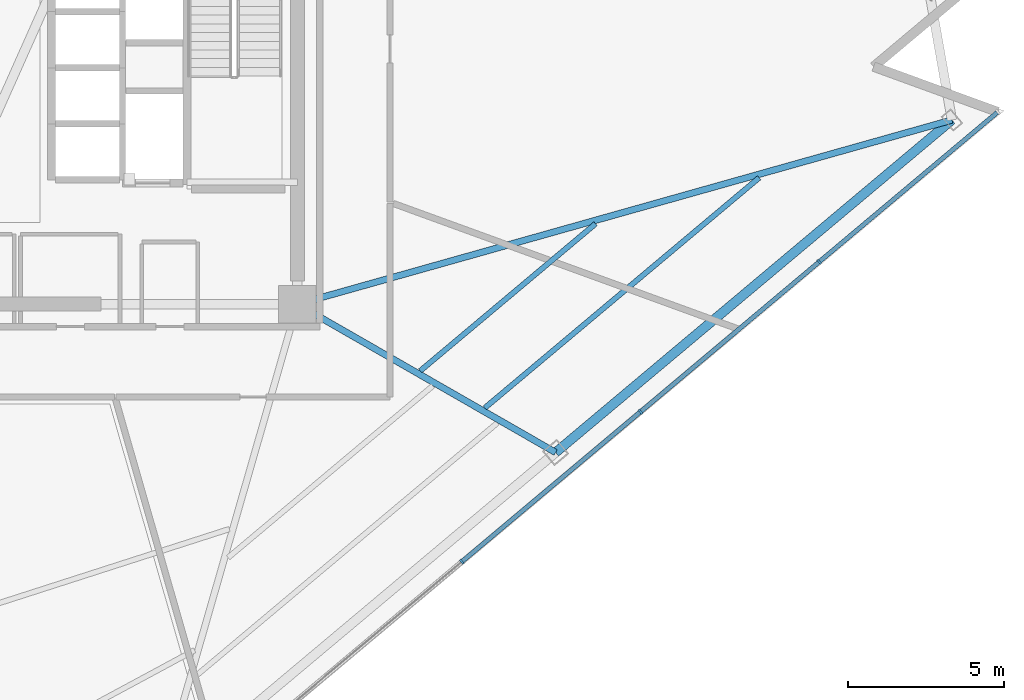
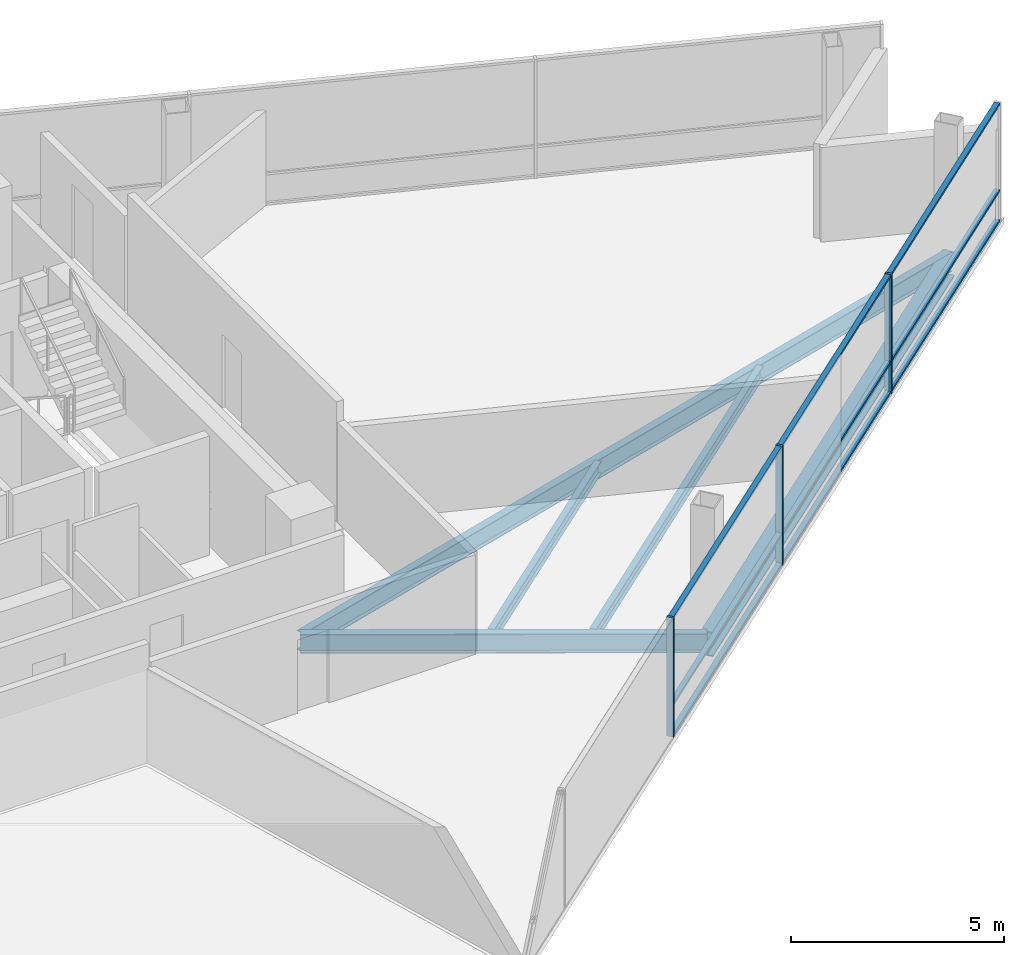
# One storey, part 4 of 16: 12 members, 5 beams, 1 element without a shape of its own.
"""IFC4 building model written with IfcOpenShell, lengths in metres."""

from ifc_helpers import new_model, si_unit, direction, frame, origin, origin_2d, place, context, subcontext, project, spatial, rectangle, i_section, extrude, material, layer, layer_set, material_profile, profile_set, type_object, element, aggregate, save


model = new_model("IFC4")

# Units and contexts
model_context = context("Model", 3, precision=1e-05, world=origin(), true_north=direction((0.0, 1.0)))
body_context = subcontext(model_context, "Body", "Model", "MODEL_VIEW")
ifc_project = project(units=[si_unit("LENGTHUNIT", "METRE"), si_unit("AREAUNIT", "SQUARE_METRE"), si_unit("VOLUMEUNIT", "CUBIC_METRE"), si_unit("PLANEANGLEUNIT", "RADIAN"), si_unit("MASSUNIT", "GRAM", prefix="KILO")], contexts=[model_context])

# Site, building, storey
site_placement = place(None, origin())
site = spatial("IfcSite", under=ifc_project, at=site_placement, CompositionType="ELEMENT")
building_placement = place(site_placement, origin())
building = spatial("IfcBuilding", under=site, at=building_placement, Name="Tharavind Bronze Gate", CompositionType="ELEMENT")
storey_placement = place(building_placement, frame((0.0, 0.0, 188.5)))
storey = spatial("IfcBuildingStorey", under=building, at=storey_placement, Name="L48", CompositionType="ELEMENT", Elevation=188.5)

# Curtain wall, members
ifc_material_1 = material(Name="Anodised Bronze Aluminium", Category="aluminium")
ifc_layer = layer(ifc_material_1, 0.219970703125)
ifc_layer_set = layer_set([ifc_layer], Name="Anodised Bronze Aluminium")
curtain_wall_type = type_object("IfcCurtainWallType", Name="UNITISED CURTAIN WALL MID OFFICE", PredefinedType="USERDEFINED", material=ifc_layer_set)
curtain_wall_placement = place(storey_placement, origin())
curtain_wall = element("IfcCurtainWall", 1, at=curtain_wall_placement, inside=storey, type_object=curtain_wall_type, Name="L48 unitised curtain wall mid office CW-L48-S2", ObjectType="UNITISED CURTAIN WALL", PredefinedType="USERDEFINED")
member_type_1 = type_object("IfcMemberType", Name="CURTAIN WALL BRONZE MULLION 65X180", PredefinedType="MULLION", material=ifc_material_1)
member_1_placement = place(storey_placement, frame((14.18408203125, -15.873291015625, 0.0), z_axis=(0.0, 0.0, 1.0), x_axis=(0.766043321242, 0.642788946685, 0.0)))
member_1 = element("IfcMember", 2, at=member_1_placement, type_object=member_type_1, Name="CW-L48-S2 mullion 5", PredefinedType="MULLION", context=body_context, shape_type="SweptSolid", body=[
    extrude(rectangle(XDim=0.06494140625, YDim=0.179931640625, at=origin_2d()), origin(), (0.0, 0.0, 1.0), 3.419921875),
])
member_2_placement = place(storey_placement, frame((19.926513671875, -11.0546875, 0.0), z_axis=(0.0, 0.0, 1.0), x_axis=(0.766043321242, 0.642788946685, 0.0)))
member_2 = element("IfcMember", 3, at=member_2_placement, type_object=member_type_1, Name="CW-L48-S2 mullion 6", PredefinedType="MULLION", context=body_context, shape_type="SweptSolid", body=[
    extrude(rectangle(XDim=0.06494140625, YDim=0.179931640625, at=origin_2d()), origin(), (0.0, 0.0, 1.0), 3.419921875),
])
member_3_placement = place(storey_placement, frame((25.668701171875, -6.236572265625, 0.0), z_axis=(0.0, 0.0, 1.0), x_axis=(0.766043321242, 0.642788946685, 0.0)))
member_3 = element("IfcMember", 4, at=member_3_placement, type_object=member_type_1, Name="CW-L48-S2 mullion 7", PredefinedType="MULLION", context=body_context, shape_type="SweptSolid", body=[
    extrude(rectangle(XDim=0.06494140625, YDim=0.179931640625, at=origin_2d()), origin(), (0.0, 0.0, 1.0), 3.419921875),
])
member_type_2 = type_object("IfcMemberType", Name="CURTAIN WALL BRONZE TRANSOM 65X140", PredefinedType="USERDEFINED", material=ifc_material_1)
member_4_placement = place(storey_placement, frame((17.055419921875, -13.464111328125, 0.0), z_axis=(0.0, 0.0, 1.0), x_axis=(0.766043321242, 0.642788946685, 0.0)))
member_4 = element("IfcMember", 5, at=member_4_placement, type_object=member_type_2, Name="CW-L48-S2 transom TB5", ObjectType="TRANSOM", PredefinedType="USERDEFINED", context=body_context, shape_type="SweptSolid", body=[
    extrude(rectangle(XDim=7.443115234375, YDim=0.139892578125, at=origin_2d()), origin(), (0.0, 0.0, 1.0), 0.06494140625),
])
member_5_placement = place(storey_placement, frame((17.055419921875, -13.464111328125, 0.867431640625), z_axis=(0.0, 0.0, 1.0), x_axis=(0.766043321242, 0.642788946685, 0.0)))
member_5 = element("IfcMember", 6, at=member_5_placement, type_object=member_type_2, Name="CW-L48-S2 transom TS5", ObjectType="TRANSOM", PredefinedType="USERDEFINED", context=body_context, shape_type="SweptSolid", body=[
    extrude(rectangle(XDim=7.443115234375, YDim=0.139892578125, at=origin_2d()), origin(), (0.0, 0.0, 1.0), 0.06494140625),
])
member_6_placement = place(storey_placement, frame((17.055419921875, -13.464111328125, 3.35498046875), z_axis=(0.0, 0.0, 1.0), x_axis=(0.766043321242, 0.642788946685, 0.0)))
member_6 = element("IfcMember", 7, at=member_6_placement, type_object=member_type_2, Name="CW-L48-S2 transom TT5", ObjectType="TRANSOM", PredefinedType="USERDEFINED", context=body_context, shape_type="SweptSolid", body=[
    extrude(rectangle(XDim=7.443115234375, YDim=0.139892578125, at=origin_2d()), origin(), (0.0, 0.0, 1.0), 0.06494140625),
])
member_7_placement = place(storey_placement, frame((22.797607421875, -8.645751953125, 0.0), z_axis=(0.0, 0.0, 1.0), x_axis=(0.766043321242, 0.642788946685, 0.0)))
member_7 = element("IfcMember", 8, at=member_7_placement, type_object=member_type_2, Name="CW-L48-S2 transom TB6", ObjectType="TRANSOM", PredefinedType="USERDEFINED", context=body_context, shape_type="SweptSolid", body=[
    extrude(rectangle(XDim=7.443115234375, YDim=0.139892578125, at=origin_2d()), origin(), (0.0, 0.0, 1.0), 0.06494140625),
])
member_8_placement = place(storey_placement, frame((22.797607421875, -8.645751953125, 0.867431640625), z_axis=(0.0, 0.0, 1.0), x_axis=(0.766043321242, 0.642788946685, 0.0)))
member_8 = element("IfcMember", 9, at=member_8_placement, type_object=member_type_2, Name="CW-L48-S2 transom TS6", ObjectType="TRANSOM", PredefinedType="USERDEFINED", context=body_context, shape_type="SweptSolid", body=[
    extrude(rectangle(XDim=7.443115234375, YDim=0.139892578125, at=origin_2d()), origin(), (0.0, 0.0, 1.0), 0.06494140625),
])
member_9_placement = place(storey_placement, frame((22.797607421875, -8.645751953125, 3.35498046875), z_axis=(0.0, 0.0, 1.0), x_axis=(0.766043321242, 0.642788946685, 0.0)))
member_9 = element("IfcMember", 10, at=member_9_placement, type_object=member_type_2, Name="CW-L48-S2 transom TT6", ObjectType="TRANSOM", PredefinedType="USERDEFINED", context=body_context, shape_type="SweptSolid", body=[
    extrude(rectangle(XDim=7.443115234375, YDim=0.139892578125, at=origin_2d()), origin(), (0.0, 0.0, 1.0), 0.06494140625),
])
member_10_placement = place(storey_placement, frame((28.539794921875, -3.827392578125, 0.0), z_axis=(0.0, 0.0, 1.0), x_axis=(0.766043321242, 0.642788946685, 0.0)))
member_10 = element("IfcMember", 11, at=member_10_placement, type_object=member_type_2, Name="CW-L48-S2 transom TB7", ObjectType="TRANSOM", PredefinedType="USERDEFINED", context=body_context, shape_type="SweptSolid", body=[
    extrude(rectangle(XDim=7.443115234375, YDim=0.139892578125, at=origin_2d()), origin(), (0.0, 0.0, 1.0), 0.06494140625),
])
member_11_placement = place(storey_placement, frame((28.539794921875, -3.827392578125, 0.867431640625), z_axis=(0.0, 0.0, 1.0), x_axis=(0.766043321242, 0.642788946685, 0.0)))
member_11 = element("IfcMember", 12, at=member_11_placement, type_object=member_type_2, Name="CW-L48-S2 transom TS7", ObjectType="TRANSOM", PredefinedType="USERDEFINED", context=body_context, shape_type="SweptSolid", body=[
    extrude(rectangle(XDim=7.443115234375, YDim=0.139892578125, at=origin_2d()), origin(), (0.0, 0.0, 1.0), 0.06494140625),
])
member_12_placement = place(storey_placement, frame((28.539794921875, -3.827392578125, 3.35498046875), z_axis=(0.0, 0.0, 1.0), x_axis=(0.766043321242, 0.642788946685, 0.0)))
member_12 = element("IfcMember", 13, at=member_12_placement, type_object=member_type_2, Name="CW-L48-S2 transom TT7", ObjectType="TRANSOM", PredefinedType="USERDEFINED", context=body_context, shape_type="SweptSolid", body=[
    extrude(rectangle(XDim=7.443115234375, YDim=0.139892578125, at=origin_2d()), origin(), (0.0, 0.0, 1.0), 0.06494140625),
])
aggregate(curtain_wall, [member_1, member_2, member_3, member_4, member_5, member_6, member_7, member_8, member_9, member_10, member_11, member_12])

# Beams
ifc_material_2 = material(Name="Steel S355", Category="steel")
ifc_material_profile_1 = material_profile(ifc_material_2, i_section(OverallWidth=0.2099609375, OverallDepth=0.550048828125, WebThickness=0.010986328125, FlangeThickness=0.01708984375, at=origin_2d()), Name="IPE550")
ifc_profile_set_1 = profile_set([ifc_material_profile_1], Name="Steel S355")
beam_type_1 = type_object("IfcBeamType", Name="PRIMARY GIRDER IPE550", PredefinedType="USERDEFINED", material=ifc_profile_set_1)
beam_1_placement = place(storey_placement, frame((17.198486328125, -12.36474609375, -0.455078125), z_axis=(-0.867223923142, 0.497918333796, 0.0), x_axis=(-0.497918333796, -0.867223923142, 0.0)))
element("IfcBeam", 14, at=beam_1_placement, inside=storey, type_object=beam_type_1, Name="L48 primary girder ipe550 BM-L48-RAD07", ObjectType="GIRDER", PredefinedType="USERDEFINED", context=body_context, shape_type="SweptSolid", body=[
    extrude(i_section(OverallWidth=0.2099609375, OverallDepth=0.550048828125, WebThickness=0.010986328125, FlangeThickness=0.01708984375, at=origin_2d()), origin(), (0.0, 0.0, 1.0), 9.569091796875),
])
beam_2_placement = place(storey_placement, frame((29.933837890625, -1.6787109375, -0.455078125), z_axis=(-0.962584208387, -0.270982733332, 0.0), x_axis=(0.270982733332, -0.962584208387, 0.0)))
element("IfcBeam", 15, at=beam_2_placement, inside=storey, type_object=beam_type_1, Name="L48 primary girder ipe550 BM-L48-RAD08", ObjectType="GIRDER", PredefinedType="USERDEFINED", context=body_context, shape_type="SweptSolid", body=[
    extrude(i_section(OverallWidth=0.2099609375, OverallDepth=0.550048828125, WebThickness=0.010986328125, FlangeThickness=0.01708984375, at=origin_2d()), origin(), (0.0, 0.0, 1.0), 21.8515625),
])
ifc_material_profile_2 = material_profile(ifc_material_2, i_section(OverallWidth=0.300048828125, OverallDepth=0.699951171875, WebThickness=0.01708984375, FlangeThickness=0.031982421875, at=origin_2d()), Name="HE700B")
ifc_profile_set_2 = profile_set([ifc_material_profile_2], Name="Steel S355")
beam_type_2 = type_object("IfcBeamType", Name="RING GIRDER HE700B", PredefinedType="USERDEFINED", material=ifc_profile_set_2)
beam_3_placement = place(storey_placement, frame((17.198486328125, -12.36474609375, -0.530029296875), z_axis=(0.766050178558, 0.642780774394, 0.0), x_axis=(-0.642780774394, 0.766050178558, 0.0)))
element("IfcBeam", 16, at=beam_3_placement, inside=storey, type_object=beam_type_2, Name="L48 ring girder he700b BM-L48-PRG07", ObjectType="GIRDER", PredefinedType="USERDEFINED", context=body_context, shape_type="SweptSolid", body=[
    extrude(i_section(OverallWidth=0.300048828125, OverallDepth=0.699951171875, WebThickness=0.01708984375, FlangeThickness=0.031982421875, at=origin_2d()), origin(), (0.0, 0.0, 1.0), 16.624755859375),
])
ifc_material_profile_3 = material_profile(ifc_material_2, i_section(OverallWidth=0.169921875, OverallDepth=0.360107421875, WebThickness=0.008056640625, FlangeThickness=0.0126953125, at=origin_2d()), Name="IPE360")
ifc_profile_set_3 = profile_set([ifc_material_profile_3], Name="Steel S355")
beam_type_3 = type_object("IfcBeamType", Name="SECONDARY FLOOR JOIST IPE360", PredefinedType="JOIST", material=ifc_profile_set_3)
beam_4_placement = place(storey_placement, frame((12.84765625, -9.7412109375, -0.360107421875), z_axis=(0.76602387, 0.642812126979, 0.0), x_axis=(-0.642812126979, 0.76602387, 0.0)))
element("IfcBeam", 17, at=beam_4_placement, inside=storey, type_object=beam_type_3, Name="L48 secondary floor joist ipe360 BM-L48-JSTA07", PredefinedType="JOIST", context=body_context, shape_type="SweptSolid", body=[
    extrude(i_section(OverallWidth=0.169921875, OverallDepth=0.360107421875, WebThickness=0.008056640625, FlangeThickness=0.0126953125, at=origin_2d()), origin(), (0.0, 0.0, 1.0), 7.355224609375),
])
beam_5_placement = place(storey_placement, frame((14.922119140625, -10.932373046875, -0.360107421875), z_axis=(0.766047353374, 0.642784141364, 0.0), x_axis=(-0.642784141364, 0.766047353374, 0.0)))
element("IfcBeam", 18, at=beam_5_placement, inside=storey, type_object=beam_type_3, Name="L48 secondary floor joist ipe360 BM-L48-JSTB07", PredefinedType="JOIST", context=body_context, shape_type="SweptSolid", body=[
    extrude(i_section(OverallWidth=0.169921875, OverallDepth=0.360107421875, WebThickness=0.008056640625, FlangeThickness=0.0126953125, at=origin_2d()), origin(), (0.0, 0.0, 1.0), 11.511474609375),
])

save(model, "model.ifc")
